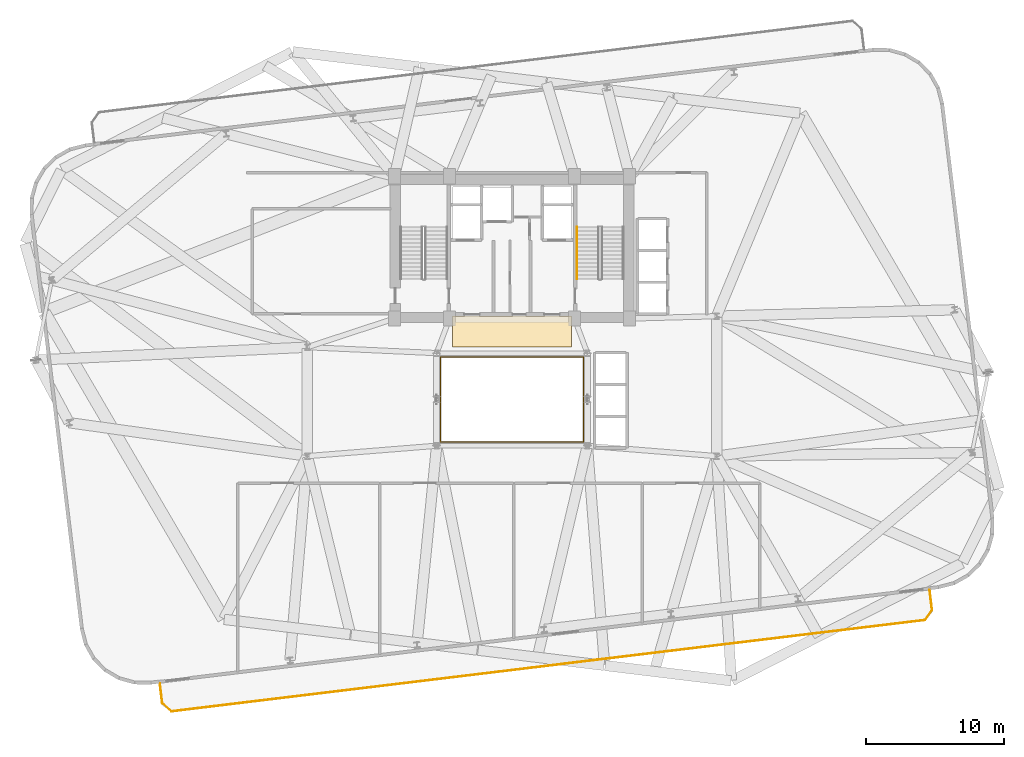
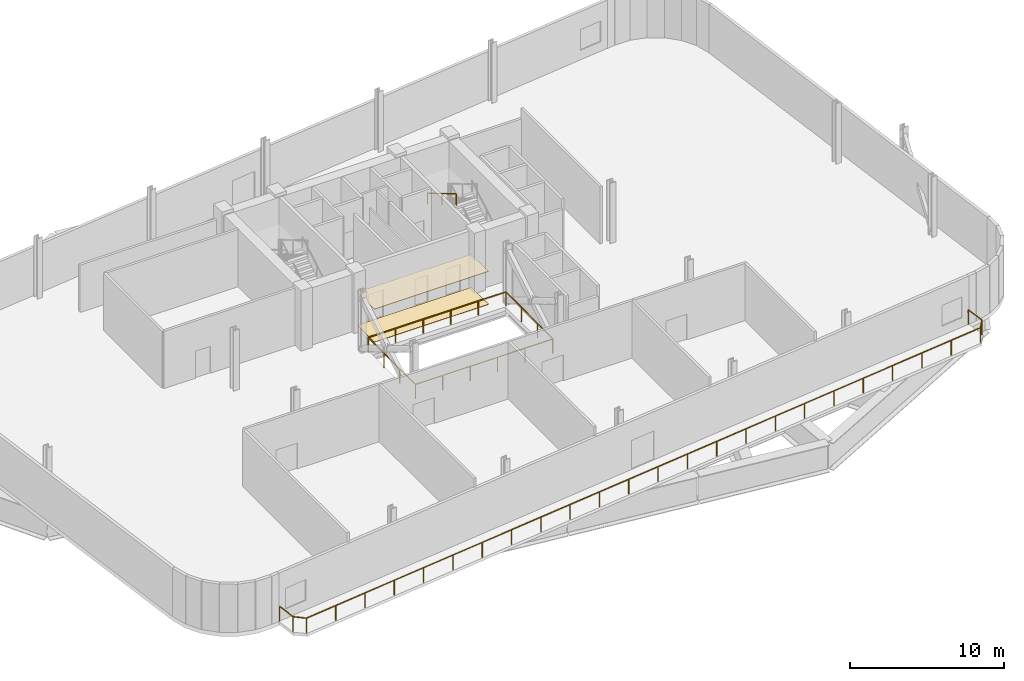
# One storey, part 9 of 11: 4 railings, 2 coverings.
"""IFC4 building model written with IfcOpenShell, lengths in metres."""

from ifc_helpers import new_model, si_unit, direction, frame, origin, origin_2d, place, context, subcontext, project, spatial, rectangle, circle, extrude, source, transform, mapped, material, layer, layer_set, type_object, element, save


model = new_model("IFC4")

# Units and contexts
model_context = context("Model", 3, precision=1e-05, world=origin(), true_north=direction((0.0, 1.0)))
body_context = subcontext(model_context, "Body", "Model", "MODEL_VIEW")
ifc_project = project(units=[si_unit("LENGTHUNIT", "METRE"), si_unit("AREAUNIT", "SQUARE_METRE"), si_unit("VOLUMEUNIT", "CUBIC_METRE"), si_unit("PLANEANGLEUNIT", "RADIAN"), si_unit("MASSUNIT", "GRAM", prefix="KILO")], contexts=[model_context])

# Site, building, storey
site_placement = place(None, origin())
site = spatial("IfcSite", under=ifc_project, at=site_placement, CompositionType="ELEMENT")
building_placement = place(site_placement, origin())
building = spatial("IfcBuilding", under=site, at=building_placement, Name="Varnelok Gate Tower", CompositionType="ELEMENT")
storey_placement = place(building_placement, frame((0.0, 0.0, 162.39990234375)))
storey = spatial("IfcBuildingStorey", under=building, at=storey_placement, Name="L41", CompositionType="ELEMENT", Elevation=162.39990234375)

# Railings
ifc_material_1 = material(Name="Tempered Laminated Balustrade Glass", Category="glass")
railing_type_1 = type_object("IfcRailingType", Name="RL-ATR-GUARD1150", PredefinedType="GUARDRAIL", material=ifc_material_1)
railing_1_placement = place(storey_placement, frame((34.02001953125, 25.929931640625, 0.0)))
element("IfcRailing", 1, at=railing_1_placement, inside=storey, type_object=railing_type_1, Name="L41 Internal Atrium South-West Guardrail", PredefinedType="GUARDRAIL", context=body_context, shape_type="SweptSolid", body=[
    extrude(circle(Radius=0.02392578125, at=origin_2d()), frame((0.0, 0.0, 1.1259765625), z_axis=(0.0, -1.0, 0.0), x_axis=(1.0, 0.0, 0.0)), (0.0, 0.0, 1.0), 6.10986328125),
    extrude(circle(Radius=0.02392578125, at=origin_2d()), frame((0.0, -6.10986328125, 1.1259765625), z_axis=(1.0, 0.0, 0.0), x_axis=(0.0, 1.0, 0.0)), (0.0, 0.0, 1.0), 10.31005859375),
    extrude(circle(Radius=0.02099609375, at=origin_2d()), origin(), (0.0, 0.0, 1.0), 1.101806640625),
    extrude(circle(Radius=0.02099609375, at=origin_2d()), frame((0.0, -2.03662109375, 0.0)), (0.0, 0.0, 1.0), 1.101806640625),
    extrude(circle(Radius=0.02099609375, at=origin_2d()), frame((0.0, -4.0732421875, 0.0)), (0.0, 0.0, 1.0), 1.101806640625),
    extrude(circle(Radius=0.02099609375, at=origin_2d()), frame((0.0, -6.10986328125, 0.0)), (0.0, 0.0, 1.0), 1.101806640625),
    extrude(circle(Radius=0.02099609375, at=origin_2d()), frame((2.06201171875, -6.10986328125, 0.0)), (0.0, 0.0, 1.0), 1.101806640625),
    extrude(circle(Radius=0.02099609375, at=origin_2d()), frame((4.1240234375, -6.10986328125, 0.0)), (0.0, 0.0, 1.0), 1.101806640625),
    extrude(circle(Radius=0.02099609375, at=origin_2d()), frame((6.18603515625, -6.10986328125, 0.0)), (0.0, 0.0, 1.0), 1.101806640625),
    extrude(circle(Radius=0.02099609375, at=origin_2d()), frame((8.248046875, -6.10986328125, 0.0)), (0.0, 0.0, 1.0), 1.101806640625),
    extrude(circle(Radius=0.02099609375, at=origin_2d()), frame((10.31005859375, -6.10986328125, 0.0)), (0.0, 0.0, 1.0), 1.101806640625),
])
railing_2_placement = place(storey_placement, frame((44.3798828125, 19.820068359375, 0.0)))
element("IfcRailing", 2, at=railing_2_placement, inside=storey, type_object=railing_type_1, Name="L41 Internal Atrium North-East Guardrail", PredefinedType="GUARDRAIL", context=body_context, shape_type="SweptSolid", body=[
    extrude(circle(Radius=0.02392578125, at=origin_2d()), frame((0.0, 0.0, 1.1259765625), z_axis=(0.0, 1.0, 0.0), x_axis=(-1.0, 0.0, 0.0)), (0.0, 0.0, 1.0), 6.159912109375),
    extrude(circle(Radius=0.02392578125, at=origin_2d()), frame((0.0, 6.159912109375, 1.1259765625), z_axis=(-1.0, 0.0, 0.0), x_axis=(0.0, -1.0, 0.0)), (0.0, 0.0, 1.0), 10.35986328125),
    extrude(circle(Radius=0.02099609375, at=origin_2d()), origin(), (0.0, 0.0, 1.0), 1.101806640625),
    extrude(circle(Radius=0.02099609375, at=origin_2d()), frame((0.0, 2.05322265625, 0.0)), (0.0, 0.0, 1.0), 1.101806640625),
    extrude(circle(Radius=0.02099609375, at=origin_2d()), frame((0.0, 4.106689453125, 0.0)), (0.0, 0.0, 1.0), 1.101806640625),
    extrude(circle(Radius=0.02099609375, at=origin_2d()), frame((0.0, 6.159912109375, 0.0)), (0.0, 0.0, 1.0), 1.101806640625),
    extrude(circle(Radius=0.02099609375, at=origin_2d()), frame((-2.072021484375, 6.159912109375, 0.0)), (0.0, 0.0, 1.0), 1.101806640625),
    extrude(circle(Radius=0.02099609375, at=origin_2d()), frame((-4.14404296875, 6.159912109375, 0.0)), (0.0, 0.0, 1.0), 1.101806640625),
    extrude(circle(Radius=0.02099609375, at=origin_2d()), frame((-6.2158203125, 6.159912109375, 0.0)), (0.0, 0.0, 1.0), 1.101806640625),
    extrude(circle(Radius=0.02099609375, at=origin_2d()), frame((-8.287841796875, 6.159912109375, 0.0)), (0.0, 0.0, 1.0), 1.101806640625),
    extrude(circle(Radius=0.02099609375, at=origin_2d()), frame((-10.35986328125, 6.159912109375, 0.0)), (0.0, 0.0, 1.0), 1.101806640625),
])
ifc_material_2 = material(Name="Brushed Stainless Steel AISI 316", Category="steel")
railing_type_2 = type_object("IfcRailingType", Name="RL-HANDRAIL-900", PredefinedType="HANDRAIL", material=ifc_material_2)
railing_3_placement = place(storey_placement, frame((43.89990234375, 35.3701171875, 2.571533203125)))
element("IfcRailing", 3, at=railing_3_placement, inside=storey, type_object=railing_type_2, Name="L41 ST-2 stair handrail 2", PredefinedType="HANDRAIL", context=body_context, shape_type="SweptSolid", body=[
    extrude(circle(Radius=0.02392578125, at=origin_2d()), frame((0.0, 0.0, 0.8759765625), z_axis=(0.0, -0.860848830602, 0.508860777473), x_axis=(1.0, 0.0, 0.0)), (0.0, 0.0, 1.0), 4.37939453125),
    extrude(circle(Radius=0.02099609375, at=origin_2d()), origin(), (0.0, 0.0, 1.0), 0.851806640625),
    extrude(circle(Radius=0.02099609375, at=origin_2d()), frame((0.0, -1.885009765625, 1.1142578125)), (0.0, 0.0, 1.0), 0.851806640625),
    extrude(circle(Radius=0.02099609375, at=origin_2d()), frame((0.0, -3.77001953125, 2.228515625)), (0.0, 0.0, 1.0), 0.851806640625),
])
ifc_material_3 = material(Name="Anodized Aluminum Alloy 6063-T6", Category="aluminium")
railing_type_3 = type_object("IfcRailingType", Name="RL-SKYG-1200", PredefinedType="GUARDRAIL", material=ifc_material_3)
railing_4_placement = place(storey_placement, frame((13.734619140625, 2.36865234375, 0.0)))
element("IfcRailing", 4, at=railing_4_placement, inside=storey, type_object=railing_type_3, Name="L41 South Terrace Balustrade 1", PredefinedType="GUARDRAIL", context=body_context, shape_type="SweptSolid", body=[
    extrude(circle(Radius=0.02392578125, at=origin_2d()), frame((0.0, 0.0, 1.17578125), z_axis=(0.120415690009, -0.992723557492, 0.0), x_axis=(0.992723557492, 0.120415690009, 0.0)), (0.0, 0.0, 1.0), 1.469970703125),
    extrude(circle(Radius=0.02392578125, at=origin_2d()), frame((0.177001953125, -1.459228515625, 1.17578125), z_axis=(0.756303655992, -0.654220742513, 0.0), x_axis=(0.654220742513, 0.756303655992, 0.0)), (0.0, 0.0, 1.0), 0.877685546875),
    extrude(circle(Radius=0.02392578125, at=origin_2d()), frame((0.8408203125, -2.033447265625, 1.17578125), z_axis=(0.992732671245, 0.120340531171, 0.0), x_axis=(-0.120340531171, 0.992732671245, 0.0)), (0.0, 0.0, 1.0), 54.89990234375),
    extrude(circle(Radius=0.02392578125, at=origin_2d()), frame((55.341796875, 4.5732421875, 1.17578125), z_axis=(0.57815621837, 0.815926091726, 0.0), x_axis=(-0.815926091726, 0.57815621837, 0.0)), (0.0, 0.0, 1.0), 0.8779296875),
    extrude(circle(Radius=0.02392578125, at=origin_2d()), frame((55.849365234375, 5.28955078125, 1.17578125), z_axis=(-0.120395838871, 0.9927259652, 0.0), x_axis=(-0.9927259652, -0.120395838871, 0.0)), (0.0, 0.0, 1.0), 1.47021484375),
    extrude(circle(Radius=0.02099609375, at=origin_2d()), origin(), (0.0, 0.0, 1.0), 1.15185546875),
    extrude(circle(Radius=0.02099609375, at=origin_2d()), frame((0.177001953125, -1.459228515625, 0.0)), (0.0, 0.0, 1.0), 1.15185546875),
    extrude(circle(Radius=0.02099609375, at=origin_2d()), frame((0.8408203125, -2.033447265625, 0.0)), (0.0, 0.0, 1.0), 1.15185546875),
    extrude(circle(Radius=0.02099609375, at=origin_2d()), frame((3.21044921875, -1.74609375, 0.0)), (0.0, 0.0, 1.0), 1.15185546875),
    extrude(circle(Radius=0.02099609375, at=origin_2d()), frame((5.580078125, -1.458984375, 0.0)), (0.0, 0.0, 1.0), 1.15185546875),
    extrude(circle(Radius=0.02099609375, at=origin_2d()), frame((7.94970703125, -1.171630859375, 0.0)), (0.0, 0.0, 1.0), 1.15185546875),
    extrude(circle(Radius=0.02099609375, at=origin_2d()), frame((10.3193359375, -0.884521484375, 0.0)), (0.0, 0.0, 1.0), 1.15185546875),
    extrude(circle(Radius=0.02099609375, at=origin_2d()), frame((12.68896484375, -0.59716796875, 0.0)), (0.0, 0.0, 1.0), 1.15185546875),
    extrude(circle(Radius=0.02099609375, at=origin_2d()), frame((15.058349609375, -0.31005859375, 0.0)), (0.0, 0.0, 1.0), 1.15185546875),
    extrude(circle(Radius=0.02099609375, at=origin_2d()), frame((17.427978515625, -0.022705078125, 0.0)), (0.0, 0.0, 1.0), 1.15185546875),
    extrude(circle(Radius=0.02099609375, at=origin_2d()), frame((19.797607421875, 0.2646484375, 0.0)), (0.0, 0.0, 1.0), 1.15185546875),
    extrude(circle(Radius=0.02099609375, at=origin_2d()), frame((22.167236328125, 0.5517578125, 0.0)), (0.0, 0.0, 1.0), 1.15185546875),
    extrude(circle(Radius=0.02099609375, at=origin_2d()), frame((24.536865234375, 0.839111328125, 0.0)), (0.0, 0.0, 1.0), 1.15185546875),
    extrude(circle(Radius=0.02099609375, at=origin_2d()), frame((26.906494140625, 1.126220703125, 0.0)), (0.0, 0.0, 1.0), 1.15185546875),
    extrude(circle(Radius=0.02099609375, at=origin_2d()), frame((29.276123046875, 1.41357421875, 0.0)), (0.0, 0.0, 1.0), 1.15185546875),
    extrude(circle(Radius=0.02099609375, at=origin_2d()), frame((31.645751953125, 1.70068359375, 0.0)), (0.0, 0.0, 1.0), 1.15185546875),
    extrude(circle(Radius=0.02099609375, at=origin_2d()), frame((34.015380859375, 1.988037109375, 0.0)), (0.0, 0.0, 1.0), 1.15185546875),
    extrude(circle(Radius=0.02099609375, at=origin_2d()), frame((36.385009765625, 2.275146484375, 0.0)), (0.0, 0.0, 1.0), 1.15185546875),
    extrude(circle(Radius=0.02099609375, at=origin_2d()), frame((38.754638671875, 2.5625, 0.0)), (0.0, 0.0, 1.0), 1.15185546875),
    extrude(circle(Radius=0.02099609375, at=origin_2d()), frame((41.124267578125, 2.849853515625, 0.0)), (0.0, 0.0, 1.0), 1.15185546875),
    extrude(circle(Radius=0.02099609375, at=origin_2d()), frame((43.49365234375, 3.136962890625, 0.0)), (0.0, 0.0, 1.0), 1.15185546875),
    extrude(circle(Radius=0.02099609375, at=origin_2d()), frame((45.86328125, 3.42431640625, 0.0)), (0.0, 0.0, 1.0), 1.15185546875),
    extrude(circle(Radius=0.02099609375, at=origin_2d()), frame((48.23291015625, 3.71142578125, 0.0)), (0.0, 0.0, 1.0), 1.15185546875),
    extrude(circle(Radius=0.02099609375, at=origin_2d()), frame((50.6025390625, 3.998779296875, 0.0)), (0.0, 0.0, 1.0), 1.15185546875),
    extrude(circle(Radius=0.02099609375, at=origin_2d()), frame((52.97216796875, 4.285888671875, 0.0)), (0.0, 0.0, 1.0), 1.15185546875),
    extrude(circle(Radius=0.02099609375, at=origin_2d()), frame((55.341796875, 4.5732421875, 0.0)), (0.0, 0.0, 1.0), 1.15185546875),
    extrude(circle(Radius=0.02099609375, at=origin_2d()), frame((55.849365234375, 5.28955078125, 0.0)), (0.0, 0.0, 1.0), 1.15185546875),
    extrude(circle(Radius=0.02099609375, at=origin_2d()), frame((55.67236328125, 6.7490234375, 0.0)), (0.0, 0.0, 1.0), 1.15185546875),
])

# Coverings
ifc_material_4 = material(Name="Honed Travertine Stone Flooring", Category="masonry")
ifc_layer_1 = layer(ifc_material_4, 0.02490234375)
ifc_layer_set_1 = layer_set([ifc_layer_1], Name="Honed Travertine Stone Flooring")
covering_type_1 = type_object("IfcCoveringType", Name="COV-FLOR-STONE", PredefinedType="FLOORING", material=ifc_layer_set_1)
shared_shape_1 = source(origin(), body_context, "Body", "SweptSolid", [
    extrude(rectangle(XDim=8.60009765625, YDim=2.219970703125, at=origin_2d()), origin(), (0.0, 0.0, 1.0), 0.02490234375),
])
covering_1_placement = place(storey_placement, frame((39.199951171875, 27.800048828125, 0.000244140625), z_axis=(0.0, 0.0, 1.0), x_axis=(1.0, 0.0, 0.0)))
element("IfcCovering", 5, at=covering_1_placement, inside=storey, type_object=covering_type_1, Name="L41 Core Gallery Stone Flooring", PredefinedType="FLOORING", context=body_context, shape_type="MappedRepresentation", body=[
    mapped(shared_shape_1, transform((0.0, 0.0, 0.0), scale=1.0)),
])
ifc_material_5 = material(Name="Mineral Fiber Acoustic Ceiling Tile")
ifc_layer_2 = layer(ifc_material_5, 0.0400390625)
ifc_layer_set_2 = layer_set([ifc_layer_2], Name="Mineral Fiber Acoustic Ceiling Tile")
covering_type_2 = type_object("IfcCoveringType", Name="COV-CEIL-ACOUST", PredefinedType="CEILING", material=ifc_layer_set_2)
shared_shape_2 = source(origin(), body_context, "Body", "SweptSolid", [
    extrude(rectangle(XDim=8.60009765625, YDim=2.239990234375, at=origin_2d()), origin(), (0.0, 0.0, 1.0), 0.0400390625),
])
covering_2_placement = place(storey_placement, frame((39.199951171875, 27.820068359375, 2.60009765625), z_axis=(0.0, 0.0, 1.0), x_axis=(1.0, 0.0, 0.0)))
element("IfcCovering", 6, at=covering_2_placement, inside=storey, type_object=covering_type_2, Name="L41 Core Gallery Acoustic Ceiling", PredefinedType="CEILING", context=body_context, shape_type="MappedRepresentation", body=[
    mapped(shared_shape_2, transform((0.0, 0.0, 0.0), scale=1.0)),
])

save(model, "model.ifc")
